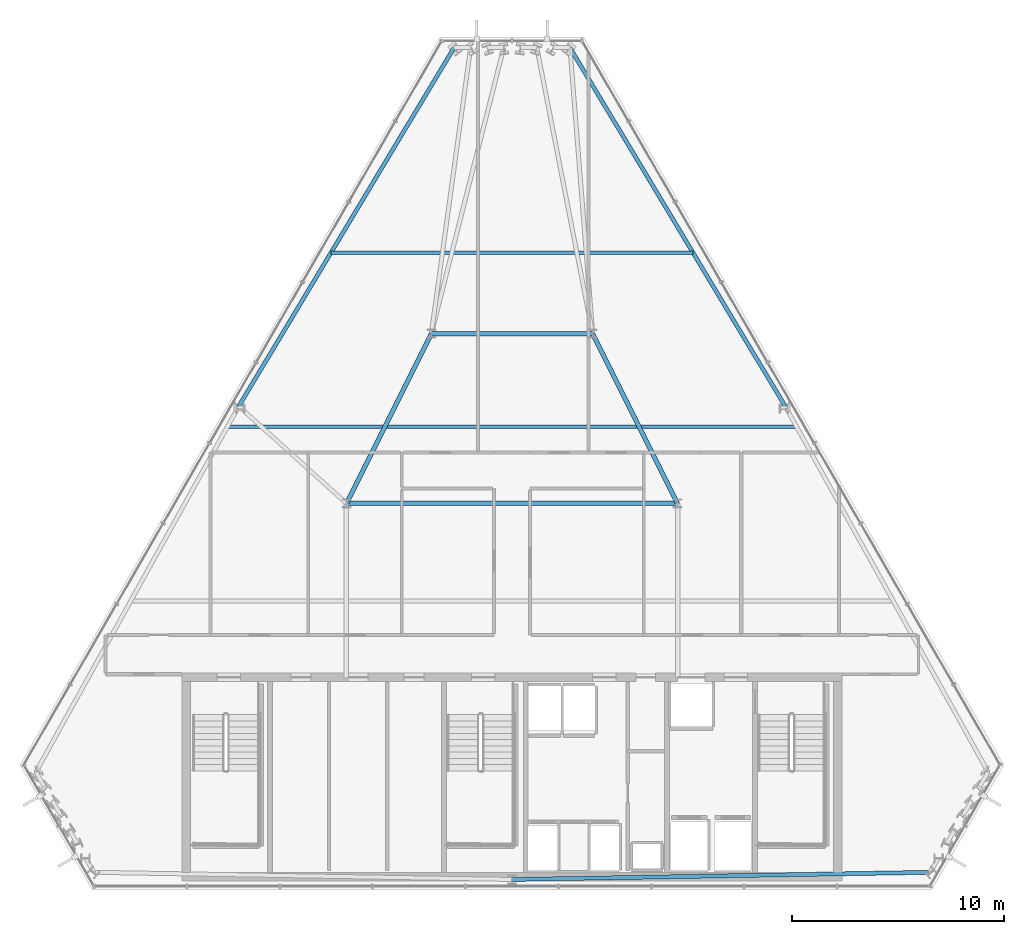
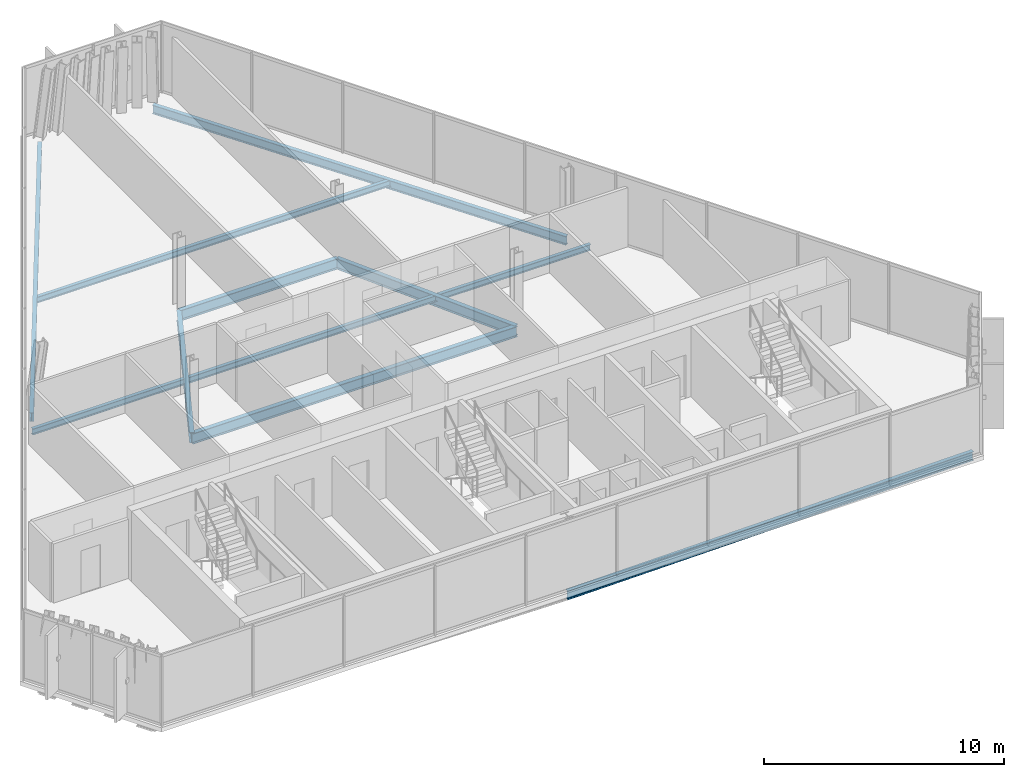
# One storey, part 13 of 29: 9 beams.
"""IFC4 building model written with IfcOpenShell, lengths in metres."""

from ifc_helpers import new_model, si_unit, direction, frame, origin, origin_2d, place, context, subcontext, project, spatial, i_section, extrude, material, material_profile, profile_set, type_object, element, save


model = new_model("IFC4")

# Units and contexts
model_context = context("Model", 3, precision=1e-05, world=origin(), true_north=direction((0.0, 1.0)))
body_context = subcontext(model_context, "Body", "Model", "MODEL_VIEW")
ifc_project = project(units=[si_unit("LENGTHUNIT", "METRE"), si_unit("AREAUNIT", "SQUARE_METRE"), si_unit("VOLUMEUNIT", "CUBIC_METRE"), si_unit("PLANEANGLEUNIT", "RADIAN"), si_unit("MASSUNIT", "GRAM", prefix="KILO")], contexts=[model_context])

# Site, building, storey
site_placement = place(None, origin())
site = spatial("IfcSite", under=ifc_project, at=site_placement, CompositionType="ELEMENT")
building_placement = place(site_placement, origin())
building = spatial("IfcBuilding", under=site, at=building_placement, Name="Ndaravel Arena Tower", CompositionType="ELEMENT")
storey_placement = place(building_placement, frame((0.0, 0.0, 248.39990234375)))
storey = spatial("IfcBuildingStorey", under=building, at=storey_placement, Name="L60", CompositionType="ELEMENT", Elevation=248.39990234375)

# Beams
ifc_material_1 = material(Name="Steel S355", Category="steel")
ifc_material_profile_1 = material_profile(ifc_material_1, i_section(OverallWidth=0.210693359375, OverallDepth=0.53955078125, WebThickness=0.01171875, FlangeThickness=0.018798828125, FilletRadius=0.0126953125, at=origin_2d()), Name="UB 533x210x109")
ifc_profile_set_1 = profile_set([ifc_material_profile_1], Name="Steel S355")
beam_type_1 = type_object("IfcBeamType", Name="BM-GIRD-UB533", PredefinedType="BEAM", material=ifc_profile_set_1)
beam_1_placement = place(storey_placement, frame((34.199951171875, 23.199951171875, -0.489501953125), z_axis=(1.0, 0.0, 0.0), x_axis=(0.0, 1.0, 0.0)))
element("IfcBeam", 1, at=beam_1_placement, inside=storey, type_object=beam_type_1, Name="L60 Spine Link Girder SLG-03", PredefinedType="BEAM", context=body_context, shape_type="SweptSolid", body=[
    extrude(i_section(OverallWidth=0.210693359375, OverallDepth=0.53955078125, WebThickness=0.01171875, FlangeThickness=0.018798828125, FilletRadius=0.0126953125, at=origin_2d()), origin(), (0.0, 0.0, 1.0), 15.60009765625),
])
for number, where, z_axis, x_axis, name in (
    (2, (34.199951171875, 23.199951171875, -0.489501953125), (0.4472135955, 0.894427191, 0.0), (-0.894427191, 0.4472135955, 0.0), "L60 Spine Link Girder SLG-04"),
    (3, (49.800048828125, 23.199951171875, -0.489501953125), (-0.4472135955, 0.894427191, 0.0), (-0.894427191, -0.4472135955, 0.0), "L60 Spine Link Girder SLG-05"),
):
    element("IfcBeam", number, at=place(storey_placement, frame(where, z_axis=z_axis, x_axis=x_axis)), inside=storey, type_object=beam_type_1, Name=name, PredefinedType="BEAM", context=body_context, shape_type="SweptSolid", body=[
        extrude(i_section(OverallWidth=0.210693359375, OverallDepth=0.53955078125, WebThickness=0.01171875, FlangeThickness=0.018798828125, FilletRadius=0.0126953125, at=origin_2d()), origin(), (0.0, 0.0, 1.0), 8.9443359375),
    ])
beam_2_placement = place(storey_placement, frame((38.199951171875, 31.199951171875, -0.489501953125), z_axis=(1.0, 0.0, 0.0), x_axis=(0.0, 1.0, 0.0)))
element("IfcBeam", 4, at=beam_2_placement, inside=storey, type_object=beam_type_1, Name="L60 Spine Link Girder SLG-06", PredefinedType="BEAM", context=body_context, shape_type="SweptSolid", body=[
    extrude(i_section(OverallWidth=0.210693359375, OverallDepth=0.53955078125, WebThickness=0.01171875, FlangeThickness=0.018798828125, FilletRadius=0.0126953125, at=origin_2d()), origin(), (0.0, 0.0, 1.0), 7.60009765625),
])
ifc_material_2 = material(Name="Steel S355", Category="steel")
ifc_material_profile_2 = material_profile(ifc_material_2, i_section(OverallWidth=0.165771484375, OverallDepth=0.306640625, WebThickness=0.006591796875, FlangeThickness=0.01171875, FilletRadius=0.0087890625, at=origin_2d()), Name="UB 305x165x46")
ifc_profile_set_2 = profile_set([ifc_material_profile_2], Name="Steel S355")
beam_type_2 = type_object("IfcBeamType", Name="BM-JOIST-UB305", PredefinedType="JOIST", material=ifc_profile_set_2)
beam_3_placement = place(storey_placement, frame((28.586181640625, 26.800048828125, -0.373291015625), z_axis=(1.0, 0.0, 0.0), x_axis=(0.0, 1.0, 0.0)))
element("IfcBeam", 5, at=beam_3_placement, inside=storey, type_object=beam_type_2, Name="L60 Composite Floor Joist FJ-02", PredefinedType="JOIST", context=body_context, shape_type="SweptSolid", body=[
    extrude(i_section(OverallWidth=0.165771484375, OverallDepth=0.306640625, WebThickness=0.006591796875, FlangeThickness=0.01171875, FilletRadius=0.0087890625, at=origin_2d()), origin(), (0.0, 0.0, 1.0), 26.82763671875),
])
beam_4_placement = place(storey_placement, frame((33.465087890625, 35.0, -0.373291015625), z_axis=(1.0, 0.0, 0.0), x_axis=(0.0, 1.0, 0.0)))
element("IfcBeam", 6, at=beam_4_placement, inside=storey, type_object=beam_type_2, Name="L60 Composite Floor Joist FJ-03", PredefinedType="JOIST", context=body_context, shape_type="SweptSolid", body=[
    extrude(i_section(OverallWidth=0.165771484375, OverallDepth=0.306640625, WebThickness=0.006591796875, FlangeThickness=0.01171875, FilletRadius=0.0087890625, at=origin_2d()), origin(), (0.0, 0.0, 1.0), 17.06982421875),
])
ifc_material_3 = material(Name="Steel S355", Category="steel")
ifc_material_profile_3 = material_profile(ifc_material_3, i_section(OverallWidth=0.18994140625, OverallDepth=0.449951171875, WebThickness=0.009521484375, FlangeThickness=0.0146484375, FilletRadius=0.02099609375, at=origin_2d()), Name="IPE 450")
ifc_profile_set_3 = profile_set([ifc_material_profile_3], Name="Steel S355")
beam_type_3 = type_object("IfcBeamType", Name="BM-SPAN-IPE450", PredefinedType="SPANDREL", material=ifc_profile_set_3)
for number, where, z_axis, x_axis, name in (
    (7, (42.0, 5.47998046875, -0.44482421875), (0.999853184589, 0.017135030412, 0.0), (-0.017135030412, 0.999853184589, 0.0), "L60 Perimeter Spandrel Beam SP-01"),
    (8, (54.87255859375, 27.77587890625, -0.44482421875), (-0.51476720981, 0.857329994637, 0.0), (-0.857329994637, -0.51476720981, 0.0), "L60 Perimeter Spandrel Beam SP-10"),
    (9, (39.27099609375, 44.669677734375, -0.44482421875), (-0.51476720981, -0.857329994637, 0.0), (0.857329994637, -0.51476720981, 0.0), "L60 Perimeter Spandrel Beam SP-18"),
):
    element("IfcBeam", number, at=place(storey_placement, frame(where, z_axis=z_axis, x_axis=x_axis)), inside=storey, type_object=beam_type_3, Name=name, PredefinedType="SPANDREL", context=body_context, shape_type="SweptSolid", body=[
        extrude(i_section(OverallWidth=0.18994140625, OverallDepth=0.449951171875, WebThickness=0.009521484375, FlangeThickness=0.0146484375, FilletRadius=0.02099609375, at=origin_2d()), origin(), (0.0, 0.0, 1.0), 19.705078125),
    ])

save(model, "model.ifc")
